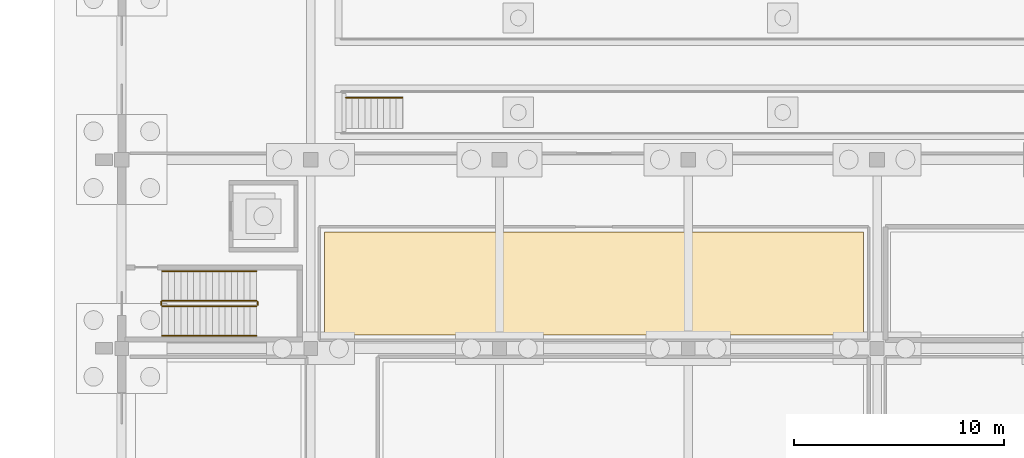
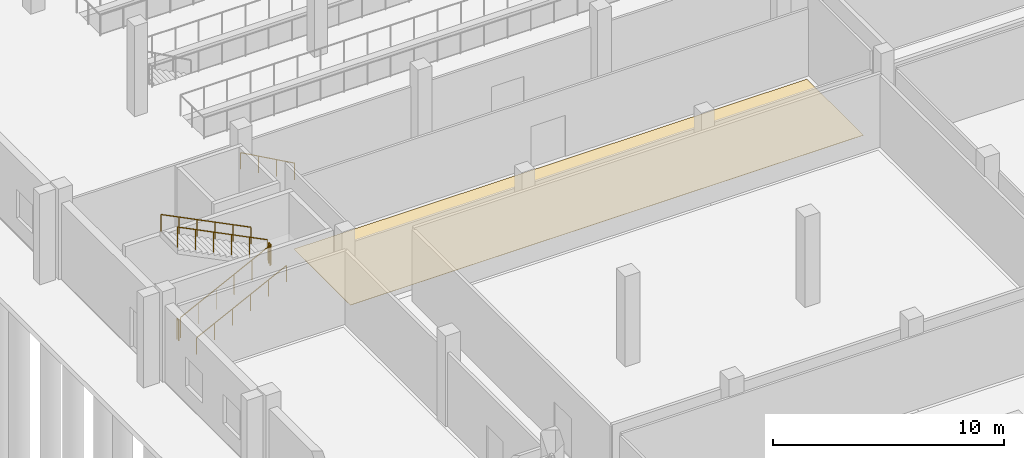
# One storey, part 93 of 112: 7 railings, 1 covering.
"""IFC4 building model written with IfcOpenShell, lengths in metres."""

from ifc_helpers import new_model, si_unit, direction, frame, origin, origin_2d, place, context, subcontext, project, spatial, polyline, circle, outline, extrude, material, layer, layer_set, type_object, element, save


model = new_model("IFC4")

# Units and contexts
model_context = context("Model", 3, precision=1e-05, world=origin(), true_north=direction((0.0, 1.0)))
body_context = subcontext(model_context, "Body", "Model", "MODEL_VIEW")
ifc_project = project(units=[si_unit("LENGTHUNIT", "METRE"), si_unit("AREAUNIT", "SQUARE_METRE"), si_unit("VOLUMEUNIT", "CUBIC_METRE"), si_unit("PLANEANGLEUNIT", "RADIAN"), si_unit("MASSUNIT", "GRAM", prefix="KILO")], contexts=[model_context])

# Site, building, storey
site_placement = place(None, origin())
site = spatial("IfcSite", under=ifc_project, at=site_placement, CompositionType="ELEMENT")
building_placement = place(site_placement, origin())
building = spatial("IfcBuilding", under=site, at=building_placement, Name="Tharagai Park Tramway Depot", CompositionType="ELEMENT")
storey_placement = place(building_placement, origin())
storey = spatial("IfcBuildingStorey", under=building, at=storey_placement, Name="L00", CompositionType="ELEMENT", Elevation=0.0)

# Covering
ifc_material_1 = material(Name="Epoxy industrial flooring", Category="plastic")
ifc_layer = layer(ifc_material_1, 0.014892578125)
ifc_layer_set = layer_set([ifc_layer], Name="Epoxy industrial flooring")
covering_type = type_object("IfcCoveringType", Name="FN-03", PredefinedType="FLOORING", material=ifc_layer_set)
covering_placement = place(storey_placement, origin())
element("IfcCovering", 1, at=covering_placement, inside=storey, type_object=covering_type, Name="Calibrated Tool Crib and Metrology Room Floor Finish", PredefinedType="FLOORING", context=body_context, shape_type="SweptSolid", body=[
    extrude(outline(polyline([(9.64990234375, 45.64990234375), (35.35009765625, 45.64990234375), (35.35009765625, 50.550048828125), (9.64990234375, 50.550048828125), (9.64990234375, 45.64990234375)])), origin(), (0.0, 0.0, 1.0), 0.014892578125),
])

# Railings
ifc_material_2 = material(Name="Galvanised steel", Category="steel")
railing_type_1 = type_object("IfcRailingType", Name="HR-02", PredefinedType="GUARDRAIL", material=ifc_material_2)
railing_1_placement = place(storey_placement, frame((1.919921875, 47.02001953125, 0.14990234375)))
element("IfcRailing", 2, at=railing_1_placement, inside=storey, type_object=railing_type_1, Name="L00 ST-08 stair guard 1", PredefinedType="GUARDRAIL", context=body_context, shape_type="SweptSolid", body=[
    extrude(circle(Radius=0.02392578125, at=origin_2d()), frame((0.0, 0.0, 1.076171875), z_axis=(0.894427191, 0.0, 0.4472135955), x_axis=(0.0, 1.0, 0.0)), (0.0, 0.0, 1.0), 5.03125),
    extrude(circle(Radius=0.02099609375, at=origin_2d()), origin(), (0.0, 0.0, 1.0), 1.052001953125),
    extrude(circle(Radius=0.02099609375, at=origin_2d()), frame((0.89990234375, 0.0, 0.449951171875)), (0.0, 0.0, 1.0), 1.052001953125),
    extrude(circle(Radius=0.02099609375, at=origin_2d()), frame((1.800048828125, 0.0, 0.89990234375)), (0.0, 0.0, 1.0), 1.052001953125),
    extrude(circle(Radius=0.02099609375, at=origin_2d()), frame((2.699951171875, 0.0, 1.35009765625)), (0.0, 0.0, 1.0), 1.052001953125),
    extrude(circle(Radius=0.02099609375, at=origin_2d()), frame((3.60009765625, 0.0, 1.800048828125)), (0.0, 0.0, 1.0), 1.052001953125),
    extrude(circle(Radius=0.02099609375, at=origin_2d()), frame((4.5, 0.0, 2.25)), (0.0, 0.0, 1.0), 1.052001953125),
])
railing_2_placement = place(storey_placement, frame((6.469970703125, 47.070068359375, 2.39990234375)))
element("IfcRailing", 3, at=railing_2_placement, inside=storey, type_object=railing_type_1, Name="L00 ST-08 stair guard 2", PredefinedType="GUARDRAIL", context=body_context, shape_type="SweptSolid", body=[
    extrude(circle(Radius=0.02392578125, at=origin_2d()), frame((0.0, 0.0, 1.076171875), z_axis=(0.0, 1.0, 0.0), x_axis=(-1.0, 0.0, 0.0)), (0.0, 0.0, 1.0), 0.14990234375),
    extrude(circle(Radius=0.02099609375, at=origin_2d()), origin(), (0.0, 0.0, 1.0), 1.052001953125),
    extrude(circle(Radius=0.02099609375, at=origin_2d()), frame((0.0, 0.14990234375, 0.0)), (0.0, 0.0, 1.0), 1.052001953125),
])
railing_3_placement = place(storey_placement, frame((6.419921875, 47.27001953125, 2.550048828125)))
element("IfcRailing", 4, at=railing_3_placement, inside=storey, type_object=railing_type_1, Name="L00 ST-08 stair guard 3", PredefinedType="GUARDRAIL", context=body_context, shape_type="SweptSolid", body=[
    extrude(circle(Radius=0.02392578125, at=origin_2d()), frame((0.0, 0.0, 1.076171875), z_axis=(-0.894427191, 0.0, 0.4472135955), x_axis=(0.0, -1.0, 0.0)), (0.0, 0.0, 1.0), 5.03125),
    extrude(circle(Radius=0.02099609375, at=origin_2d()), origin(), (0.0, 0.0, 1.0), 1.052001953125),
    extrude(circle(Radius=0.02099609375, at=origin_2d()), frame((-0.89990234375, 0.0, 0.449951171875)), (0.0, 0.0, 1.0), 1.052001953125),
    extrude(circle(Radius=0.02099609375, at=origin_2d()), frame((-1.800048828125, 0.0, 0.89990234375)), (0.0, 0.0, 1.0), 1.052001953125),
    extrude(circle(Radius=0.02099609375, at=origin_2d()), frame((-2.699951171875, 0.0, 1.35009765625)), (0.0, 0.0, 1.0), 1.052001953125),
    extrude(circle(Radius=0.02099609375, at=origin_2d()), frame((-3.60009765625, 0.0, 1.800048828125)), (0.0, 0.0, 1.0), 1.052001953125),
    extrude(circle(Radius=0.02099609375, at=origin_2d()), frame((-4.5, 0.0, 2.25)), (0.0, 0.0, 1.0), 1.052001953125),
])
railing_4_placement = place(storey_placement, frame((1.8701171875, 47.070068359375, 0.0)))
element("IfcRailing", 5, at=railing_4_placement, inside=storey, type_object=railing_type_1, Name="L00 ST-08 stair guard 4", PredefinedType="GUARDRAIL", context=body_context, shape_type="SweptSolid", body=[
    extrude(circle(Radius=0.02392578125, at=origin_2d()), frame((0.0, 0.0, 1.076171875), z_axis=(0.0, 1.0, 0.0), x_axis=(-1.0, 0.0, 0.0)), (0.0, 0.0, 1.0), 0.14990234375),
    extrude(circle(Radius=0.02099609375, at=origin_2d()), origin(), (0.0, 0.0, 1.0), 1.052001953125),
    extrude(circle(Radius=0.02099609375, at=origin_2d()), frame((0.0, 0.14990234375, 0.0)), (0.0, 0.0, 1.0), 1.052001953125),
])
railing_type_2 = type_object("IfcRailingType", Name="HR-03", PredefinedType="HANDRAIL", material=ifc_material_2)
railing_5_placement = place(storey_placement, frame((1.919921875, 45.60009765625, 0.14990234375)))
element("IfcRailing", 6, at=railing_5_placement, inside=storey, type_object=railing_type_2, Name="L00 ST-08 stair handrail 1", PredefinedType="HANDRAIL", context=body_context, shape_type="SweptSolid", body=[
    extrude(circle(Radius=0.02392578125, at=origin_2d()), frame((0.0, 0.0, 0.8759765625), z_axis=(0.894427191, 0.0, 0.4472135955), x_axis=(0.0, 1.0, 0.0)), (0.0, 0.0, 1.0), 5.03125),
    extrude(circle(Radius=0.02099609375, at=origin_2d()), origin(), (0.0, 0.0, 1.0), 0.851806640625),
    extrude(circle(Radius=0.02099609375, at=origin_2d()), frame((0.89990234375, 0.0, 0.449951171875)), (0.0, 0.0, 1.0), 0.851806640625),
    extrude(circle(Radius=0.02099609375, at=origin_2d()), frame((1.800048828125, 0.0, 0.89990234375)), (0.0, 0.0, 1.0), 0.851806640625),
    extrude(circle(Radius=0.02099609375, at=origin_2d()), frame((2.699951171875, 0.0, 1.35009765625)), (0.0, 0.0, 1.0), 0.851806640625),
    extrude(circle(Radius=0.02099609375, at=origin_2d()), frame((3.60009765625, 0.0, 1.800048828125)), (0.0, 0.0, 1.0), 0.851806640625),
    extrude(circle(Radius=0.02099609375, at=origin_2d()), frame((4.5, 0.0, 2.25)), (0.0, 0.0, 1.0), 0.851806640625),
])
railing_6_placement = place(storey_placement, frame((6.419921875, 48.68994140625, 2.550048828125)))
element("IfcRailing", 7, at=railing_6_placement, inside=storey, type_object=railing_type_2, Name="L00 ST-08 stair handrail 2", PredefinedType="HANDRAIL", context=body_context, shape_type="SweptSolid", body=[
    extrude(circle(Radius=0.02392578125, at=origin_2d()), frame((0.0, 0.0, 0.8759765625), z_axis=(-0.894427191, 0.0, 0.4472135955), x_axis=(0.0, -1.0, 0.0)), (0.0, 0.0, 1.0), 5.03125),
    extrude(circle(Radius=0.02099609375, at=origin_2d()), origin(), (0.0, 0.0, 1.0), 0.851806640625),
    extrude(circle(Radius=0.02099609375, at=origin_2d()), frame((-0.89990234375, 0.0, 0.449951171875)), (0.0, 0.0, 1.0), 0.851806640625),
    extrude(circle(Radius=0.02099609375, at=origin_2d()), frame((-1.800048828125, 0.0, 0.89990234375)), (0.0, 0.0, 1.0), 0.851806640625),
    extrude(circle(Radius=0.02099609375, at=origin_2d()), frame((-2.699951171875, 0.0, 1.35009765625)), (0.0, 0.0, 1.0), 0.851806640625),
    extrude(circle(Radius=0.02099609375, at=origin_2d()), frame((-3.60009765625, 0.0, 1.800048828125)), (0.0, 0.0, 1.0), 0.851806640625),
    extrude(circle(Radius=0.02099609375, at=origin_2d()), frame((-4.5, 0.0, 2.25)), (0.0, 0.0, 1.0), 0.851806640625),
])
railing_7_placement = place(storey_placement, frame((13.3798828125, 56.949951171875, -1.5)))
element("IfcRailing", 8, at=railing_7_placement, inside=storey, type_object=railing_type_2, Name="Inspection Pit Track 1 Stair Handrail", PredefinedType="HANDRAIL", context=body_context, shape_type="SweptSolid", body=[
    extrude(circle(Radius=0.02392578125, at=origin_2d()), frame((0.0, 0.0, 0.8759765625), z_axis=(-0.87415354758, 0.0, 0.485649642493), x_axis=(0.0, -1.0, 0.0)), (0.0, 0.0, 1.0), 3.088623046875),
    extrude(circle(Radius=0.02099609375, at=origin_2d()), origin(), (0.0, 0.0, 1.0), 0.851806640625),
    extrude(circle(Radius=0.02099609375, at=origin_2d()), frame((-0.89990234375, 0.0, 0.5)), (0.0, 0.0, 1.0), 0.851806640625),
    extrude(circle(Radius=0.02099609375, at=origin_2d()), frame((-1.800048828125, 0.0, 1.0)), (0.0, 0.0, 1.0), 0.851806640625),
    extrude(circle(Radius=0.02099609375, at=origin_2d()), frame((-2.699951171875, 0.0, 1.5)), (0.0, 0.0, 1.0), 0.851806640625),
])

save(model, "model.ifc")
